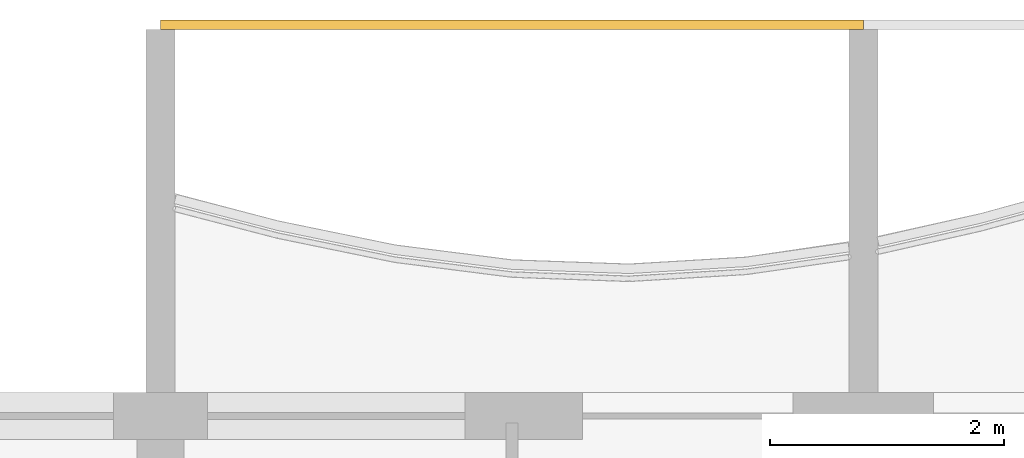
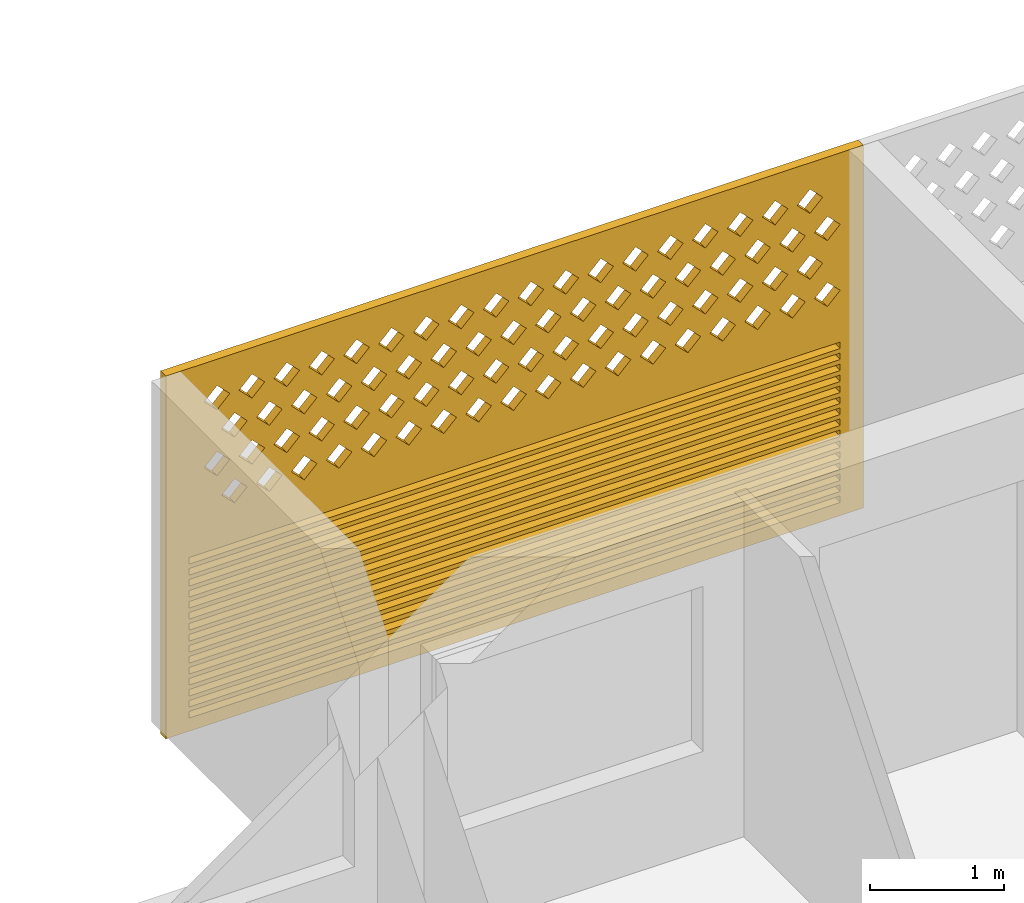
# One storey, part 32 of 38: 1 covering.
"""IFC4 building model written with IfcOpenShell, lengths in metres."""

from ifc_helpers import new_model, si_unit, direction, frame, origin, place, context, subcontext, project, spatial, polyline, outline, extrude, source, transform, mapped, material, material_profile, profile_set, type_object, element, save


model = new_model("IFC4")

# Units and contexts
model_context = context("Model", 3, precision=1e-05, world=origin(), true_north=direction((0.0, 1.0)))
body_context = subcontext(model_context, "Body", "Model", "MODEL_VIEW")
ifc_project = project(units=[si_unit("LENGTHUNIT", "METRE"), si_unit("AREAUNIT", "SQUARE_METRE"), si_unit("VOLUMEUNIT", "CUBIC_METRE"), si_unit("PLANEANGLEUNIT", "RADIAN"), si_unit("MASSUNIT", "GRAM", prefix="KILO")], contexts=[model_context])

# Site, building, storey
site_placement = place(None, origin())
site = spatial("IfcSite", under=ifc_project, at=site_placement, CompositionType="ELEMENT")
building_placement = place(site_placement, origin())
building = spatial("IfcBuilding", under=site, at=building_placement, Name="Poui Terraces", CompositionType="ELEMENT")
storey_placement = place(building_placement, frame((0.0, 0.0, 43.199951171875)))
storey = spatial("IfcBuildingStorey", under=building, at=storey_placement, Name="L11", CompositionType="ELEMENT", Elevation=43.199951171875)

# Covering
ifc_material = material(Name="Terracotta screen", Category="masonry")
ifc_material_profile = material_profile(ifc_material, outline(polyline([(-3.0, -1.64990234375), (3.0, -1.64990234375), (3.0, 1.64990234375), (-3.0, 1.64990234375), (-3.0, -1.64990234375)]), holes=[polyline([(-2.800048828125, 0.39990234375), (-2.68994140625, 0.2900390625), (-2.580078125, 0.39990234375), (-2.68994140625, 0.510009765625), (-2.800048828125, 0.39990234375)]), polyline([(-2.5, 0.39990234375), (-2.389892578125, 0.2900390625), (-2.280029296875, 0.39990234375), (-2.389892578125, 0.510009765625), (-2.5, 0.39990234375)]), polyline([(-2.199951171875, 0.39990234375), (-2.090087890625, 0.2900390625), (-1.97998046875, 0.39990234375), (-2.090087890625, 0.510009765625), (-2.199951171875, 0.39990234375)]), polyline([(-1.89990234375, 0.39990234375), (-1.7900390625, 0.2900390625), (-1.679931640625, 0.39990234375), (-1.7900390625, 0.510009765625), (-1.89990234375, 0.39990234375)]), polyline([(-1.60009765625, 0.39990234375), (-1.489990234375, 0.2900390625), (-1.3798828125, 0.39990234375), (-1.489990234375, 0.510009765625), (-1.60009765625, 0.39990234375)]), polyline([(-1.300048828125, 0.39990234375), (-1.18994140625, 0.2900390625), (-1.080078125, 0.39990234375), (-1.18994140625, 0.510009765625), (-1.300048828125, 0.39990234375)]), polyline([(-1.0, 0.39990234375), (-0.889892578125, 0.2900390625), (-0.780029296875, 0.39990234375), (-0.889892578125, 0.510009765625), (-1.0, 0.39990234375)]), polyline([(-0.699951171875, 0.39990234375), (-0.590087890625, 0.2900390625), (-0.47998046875, 0.39990234375), (-0.590087890625, 0.510009765625), (-0.699951171875, 0.39990234375)]), polyline([(-0.39990234375, 0.39990234375), (-0.2900390625, 0.2900390625), (-0.179931640625, 0.39990234375), (-0.2900390625, 0.510009765625), (-0.39990234375, 0.39990234375)]), polyline([(-0.10009765625, 0.39990234375), (0.010009765625, 0.2900390625), (0.1201171875, 0.39990234375), (0.010009765625, 0.510009765625), (-0.10009765625, 0.39990234375)]), polyline([(0.199951171875, 0.39990234375), (0.31005859375, 0.2900390625), (0.419921875, 0.39990234375), (0.31005859375, 0.510009765625), (0.199951171875, 0.39990234375)]), polyline([(0.5, 0.39990234375), (0.610107421875, 0.2900390625), (0.719970703125, 0.39990234375), (0.610107421875, 0.510009765625), (0.5, 0.39990234375)]), polyline([(0.800048828125, 0.39990234375), (0.909912109375, 0.2900390625), (1.02001953125, 0.39990234375), (0.909912109375, 0.510009765625), (0.800048828125, 0.39990234375)]), polyline([(1.10009765625, 0.39990234375), (1.2099609375, 0.2900390625), (1.320068359375, 0.39990234375), (1.2099609375, 0.510009765625), (1.10009765625, 0.39990234375)]), polyline([(1.39990234375, 0.39990234375), (1.510009765625, 0.2900390625), (1.6201171875, 0.39990234375), (1.510009765625, 0.510009765625), (1.39990234375, 0.39990234375)]), polyline([(1.699951171875, 0.39990234375), (1.81005859375, 0.2900390625), (1.919921875, 0.39990234375), (1.81005859375, 0.510009765625), (1.699951171875, 0.39990234375)]), polyline([(2.0, 0.39990234375), (2.110107421875, 0.2900390625), (2.219970703125, 0.39990234375), (2.110107421875, 0.510009765625), (2.0, 0.39990234375)]), polyline([(2.300048828125, 0.39990234375), (2.409912109375, 0.2900390625), (2.52001953125, 0.39990234375), (2.409912109375, 0.510009765625), (2.300048828125, 0.39990234375)]), polyline([(-2.64990234375, 0.699951171875), (-2.5400390625, 0.590087890625), (-2.429931640625, 0.699951171875), (-2.5400390625, 0.81005859375), (-2.64990234375, 0.699951171875)]), polyline([(-2.35009765625, 0.699951171875), (-2.239990234375, 0.590087890625), (-2.1298828125, 0.699951171875), (-2.239990234375, 0.81005859375), (-2.35009765625, 0.699951171875)]), polyline([(-2.050048828125, 0.699951171875), (-1.93994140625, 0.590087890625), (-1.830078125, 0.699951171875), (-1.93994140625, 0.81005859375), (-2.050048828125, 0.699951171875)]), polyline([(-1.75, 0.699951171875), (-1.639892578125, 0.590087890625), (-1.530029296875, 0.699951171875), (-1.639892578125, 0.81005859375), (-1.75, 0.699951171875)]), polyline([(-1.449951171875, 0.699951171875), (-1.340087890625, 0.590087890625), (-1.22998046875, 0.699951171875), (-1.340087890625, 0.81005859375), (-1.449951171875, 0.699951171875)]), polyline([(-1.14990234375, 0.699951171875), (-1.0400390625, 0.590087890625), (-0.929931640625, 0.699951171875), (-1.0400390625, 0.81005859375), (-1.14990234375, 0.699951171875)]), polyline([(-0.85009765625, 0.699951171875), (-0.739990234375, 0.590087890625), (-0.6298828125, 0.699951171875), (-0.739990234375, 0.81005859375), (-0.85009765625, 0.699951171875)]), polyline([(-0.550048828125, 0.699951171875), (-0.43994140625, 0.590087890625), (-0.330078125, 0.699951171875), (-0.43994140625, 0.81005859375), (-0.550048828125, 0.699951171875)]), polyline([(-0.25, 0.699951171875), (-0.139892578125, 0.590087890625), (-0.030029296875, 0.699951171875), (-0.139892578125, 0.81005859375), (-0.25, 0.699951171875)]), polyline([(0.050048828125, 0.699951171875), (0.159912109375, 0.590087890625), (0.27001953125, 0.699951171875), (0.159912109375, 0.81005859375), (0.050048828125, 0.699951171875)]), polyline([(0.35009765625, 0.699951171875), (0.4599609375, 0.590087890625), (0.570068359375, 0.699951171875), (0.4599609375, 0.81005859375), (0.35009765625, 0.699951171875)]), polyline([(0.64990234375, 0.699951171875), (0.760009765625, 0.590087890625), (0.8701171875, 0.699951171875), (0.760009765625, 0.81005859375), (0.64990234375, 0.699951171875)]), polyline([(0.949951171875, 0.699951171875), (1.06005859375, 0.590087890625), (1.169921875, 0.699951171875), (1.06005859375, 0.81005859375), (0.949951171875, 0.699951171875)]), polyline([(1.25, 0.699951171875), (1.360107421875, 0.590087890625), (1.469970703125, 0.699951171875), (1.360107421875, 0.81005859375), (1.25, 0.699951171875)]), polyline([(1.550048828125, 0.699951171875), (1.659912109375, 0.590087890625), (1.77001953125, 0.699951171875), (1.659912109375, 0.81005859375), (1.550048828125, 0.699951171875)]), polyline([(1.85009765625, 0.699951171875), (1.9599609375, 0.590087890625), (2.070068359375, 0.699951171875), (1.9599609375, 0.81005859375), (1.85009765625, 0.699951171875)]), polyline([(2.14990234375, 0.699951171875), (2.260009765625, 0.590087890625), (2.3701171875, 0.699951171875), (2.260009765625, 0.81005859375), (2.14990234375, 0.699951171875)]), polyline([(2.449951171875, 0.699951171875), (2.56005859375, 0.590087890625), (2.669921875, 0.699951171875), (2.56005859375, 0.81005859375), (2.449951171875, 0.699951171875)]), polyline([(-2.800048828125, 1.0), (-2.68994140625, 0.889892578125), (-2.580078125, 1.0), (-2.68994140625, 1.110107421875), (-2.800048828125, 1.0)]), polyline([(-2.5, 1.0), (-2.389892578125, 0.889892578125), (-2.280029296875, 1.0), (-2.389892578125, 1.110107421875), (-2.5, 1.0)]), polyline([(-2.199951171875, 1.0), (-2.090087890625, 0.889892578125), (-1.97998046875, 1.0), (-2.090087890625, 1.110107421875), (-2.199951171875, 1.0)]), polyline([(-1.89990234375, 1.0), (-1.7900390625, 0.889892578125), (-1.679931640625, 1.0), (-1.7900390625, 1.110107421875), (-1.89990234375, 1.0)]), polyline([(-1.60009765625, 1.0), (-1.489990234375, 0.889892578125), (-1.3798828125, 1.0), (-1.489990234375, 1.110107421875), (-1.60009765625, 1.0)]), polyline([(-1.300048828125, 1.0), (-1.18994140625, 0.889892578125), (-1.080078125, 1.0), (-1.18994140625, 1.110107421875), (-1.300048828125, 1.0)]), polyline([(-1.0, 1.0), (-0.889892578125, 0.889892578125), (-0.780029296875, 1.0), (-0.889892578125, 1.110107421875), (-1.0, 1.0)]), polyline([(-0.699951171875, 1.0), (-0.590087890625, 0.889892578125), (-0.47998046875, 1.0), (-0.590087890625, 1.110107421875), (-0.699951171875, 1.0)]), polyline([(-0.39990234375, 1.0), (-0.2900390625, 0.889892578125), (-0.179931640625, 1.0), (-0.2900390625, 1.110107421875), (-0.39990234375, 1.0)]), polyline([(-0.10009765625, 1.0), (0.010009765625, 0.889892578125), (0.1201171875, 1.0), (0.010009765625, 1.110107421875), (-0.10009765625, 1.0)]), polyline([(0.199951171875, 1.0), (0.31005859375, 0.889892578125), (0.419921875, 1.0), (0.31005859375, 1.110107421875), (0.199951171875, 1.0)]), polyline([(0.5, 1.0), (0.610107421875, 0.889892578125), (0.719970703125, 1.0), (0.610107421875, 1.110107421875), (0.5, 1.0)]), polyline([(0.800048828125, 1.0), (0.909912109375, 0.889892578125), (1.02001953125, 1.0), (0.909912109375, 1.110107421875), (0.800048828125, 1.0)]), polyline([(1.10009765625, 1.0), (1.2099609375, 0.889892578125), (1.320068359375, 1.0), (1.2099609375, 1.110107421875), (1.10009765625, 1.0)]), polyline([(1.39990234375, 1.0), (1.510009765625, 0.889892578125), (1.6201171875, 1.0), (1.510009765625, 1.110107421875), (1.39990234375, 1.0)]), polyline([(1.699951171875, 1.0), (1.81005859375, 0.889892578125), (1.919921875, 1.0), (1.81005859375, 1.110107421875), (1.699951171875, 1.0)]), polyline([(2.0, 1.0), (2.110107421875, 0.889892578125), (2.219970703125, 1.0), (2.110107421875, 1.110107421875), (2.0, 1.0)]), polyline([(2.300048828125, 1.0), (2.409912109375, 0.889892578125), (2.52001953125, 1.0), (2.409912109375, 1.110107421875), (2.300048828125, 1.0)]), polyline([(-2.64990234375, 1.300048828125), (-2.5400390625, 1.18994140625), (-2.429931640625, 1.300048828125), (-2.5400390625, 1.409912109375), (-2.64990234375, 1.300048828125)]), polyline([(-2.35009765625, 1.300048828125), (-2.239990234375, 1.18994140625), (-2.1298828125, 1.300048828125), (-2.239990234375, 1.409912109375), (-2.35009765625, 1.300048828125)]), polyline([(-2.050048828125, 1.300048828125), (-1.93994140625, 1.18994140625), (-1.830078125, 1.300048828125), (-1.93994140625, 1.409912109375), (-2.050048828125, 1.300048828125)]), polyline([(-1.75, 1.300048828125), (-1.639892578125, 1.18994140625), (-1.530029296875, 1.300048828125), (-1.639892578125, 1.409912109375), (-1.75, 1.300048828125)]), polyline([(-1.449951171875, 1.300048828125), (-1.340087890625, 1.18994140625), (-1.22998046875, 1.300048828125), (-1.340087890625, 1.409912109375), (-1.449951171875, 1.300048828125)]), polyline([(-1.14990234375, 1.300048828125), (-1.0400390625, 1.18994140625), (-0.929931640625, 1.300048828125), (-1.0400390625, 1.409912109375), (-1.14990234375, 1.300048828125)]), polyline([(-0.85009765625, 1.300048828125), (-0.739990234375, 1.18994140625), (-0.6298828125, 1.300048828125), (-0.739990234375, 1.409912109375), (-0.85009765625, 1.300048828125)]), polyline([(-0.550048828125, 1.300048828125), (-0.43994140625, 1.18994140625), (-0.330078125, 1.300048828125), (-0.43994140625, 1.409912109375), (-0.550048828125, 1.300048828125)]), polyline([(-0.25, 1.300048828125), (-0.139892578125, 1.18994140625), (-0.030029296875, 1.300048828125), (-0.139892578125, 1.409912109375), (-0.25, 1.300048828125)]), polyline([(0.050048828125, 1.300048828125), (0.159912109375, 1.18994140625), (0.27001953125, 1.300048828125), (0.159912109375, 1.409912109375), (0.050048828125, 1.300048828125)]), polyline([(0.35009765625, 1.300048828125), (0.4599609375, 1.18994140625), (0.570068359375, 1.300048828125), (0.4599609375, 1.409912109375), (0.35009765625, 1.300048828125)]), polyline([(0.64990234375, 1.300048828125), (0.760009765625, 1.18994140625), (0.8701171875, 1.300048828125), (0.760009765625, 1.409912109375), (0.64990234375, 1.300048828125)]), polyline([(0.949951171875, 1.300048828125), (1.06005859375, 1.18994140625), (1.169921875, 1.300048828125), (1.06005859375, 1.409912109375), (0.949951171875, 1.300048828125)]), polyline([(1.25, 1.300048828125), (1.360107421875, 1.18994140625), (1.469970703125, 1.300048828125), (1.360107421875, 1.409912109375), (1.25, 1.300048828125)]), polyline([(1.550048828125, 1.300048828125), (1.659912109375, 1.18994140625), (1.77001953125, 1.300048828125), (1.659912109375, 1.409912109375), (1.550048828125, 1.300048828125)]), polyline([(1.85009765625, 1.300048828125), (1.9599609375, 1.18994140625), (2.070068359375, 1.300048828125), (1.9599609375, 1.409912109375), (1.85009765625, 1.300048828125)]), polyline([(2.14990234375, 1.300048828125), (2.260009765625, 1.18994140625), (2.3701171875, 1.300048828125), (2.260009765625, 1.409912109375), (2.14990234375, 1.300048828125)]), polyline([(2.449951171875, 1.300048828125), (2.56005859375, 1.18994140625), (2.669921875, 1.300048828125), (2.56005859375, 1.409912109375), (2.449951171875, 1.300048828125)]), polyline([(-2.800048828125, -1.530029296875), (2.800048828125, -1.530029296875), (2.800048828125, -1.469970703125), (-2.800048828125, -1.469970703125), (-2.800048828125, -1.530029296875)]), polyline([(-2.800048828125, -1.429931640625), (2.800048828125, -1.429931640625), (2.800048828125, -1.3701171875), (-2.800048828125, -1.3701171875), (-2.800048828125, -1.429931640625)]), polyline([(-2.800048828125, -1.330078125), (2.800048828125, -1.330078125), (2.800048828125, -1.27001953125), (-2.800048828125, -1.27001953125), (-2.800048828125, -1.330078125)]), polyline([(-2.800048828125, -1.22998046875), (2.800048828125, -1.22998046875), (2.800048828125, -1.169921875), (-2.800048828125, -1.169921875), (-2.800048828125, -1.22998046875)]), polyline([(-2.800048828125, -1.1298828125), (2.800048828125, -1.1298828125), (2.800048828125, -1.070068359375), (-2.800048828125, -1.070068359375), (-2.800048828125, -1.1298828125)]), polyline([(-2.800048828125, -1.030029296875), (2.800048828125, -1.030029296875), (2.800048828125, -0.969970703125), (-2.800048828125, -0.969970703125), (-2.800048828125, -1.030029296875)]), polyline([(-2.800048828125, -0.929931640625), (2.800048828125, -0.929931640625), (2.800048828125, -0.8701171875), (-2.800048828125, -0.8701171875), (-2.800048828125, -0.929931640625)]), polyline([(-2.800048828125, -0.830078125), (2.800048828125, -0.830078125), (2.800048828125, -0.77001953125), (-2.800048828125, -0.77001953125), (-2.800048828125, -0.830078125)]), polyline([(-2.800048828125, -0.72998046875), (2.800048828125, -0.72998046875), (2.800048828125, -0.669921875), (-2.800048828125, -0.669921875), (-2.800048828125, -0.72998046875)]), polyline([(-2.800048828125, -0.6298828125), (2.800048828125, -0.6298828125), (2.800048828125, -0.570068359375), (-2.800048828125, -0.570068359375), (-2.800048828125, -0.6298828125)]), polyline([(-2.800048828125, -0.530029296875), (2.800048828125, -0.530029296875), (2.800048828125, -0.469970703125), (-2.800048828125, -0.469970703125), (-2.800048828125, -0.530029296875)]), polyline([(-2.800048828125, -0.429931640625), (2.800048828125, -0.429931640625), (2.800048828125, -0.3701171875), (-2.800048828125, -0.3701171875), (-2.800048828125, -0.429931640625)]), polyline([(-2.800048828125, -0.330078125), (2.800048828125, -0.330078125), (2.800048828125, -0.27001953125), (-2.800048828125, -0.27001953125), (-2.800048828125, -0.330078125)]), polyline([(-2.800048828125, -0.22998046875), (2.800048828125, -0.22998046875), (2.800048828125, -0.169921875), (-2.800048828125, -0.169921875), (-2.800048828125, -0.22998046875)]), polyline([(-2.800048828125, -0.1298828125), (2.800048828125, -0.1298828125), (2.800048828125, -0.070068359375), (-2.800048828125, -0.070068359375), (-2.800048828125, -0.1298828125)])]), Name="TERRACOTTA SCREEN AND JALOUSIE LOUVRE 6000X3300")
ifc_profile_set = profile_set([ifc_material_profile], Name="Terracotta screen")
covering_type = type_object("IfcCoveringType", Name="TERRACOTTA SCREEN AND JALOUSIE LOUVRE 6000X3300", PredefinedType="CLADDING", material=ifc_profile_set)
shared_shape = source(origin(), body_context, "Body", "SweptSolid", [
    extrude(outline(polyline([(-3.0, -1.64990234375), (3.0, -1.64990234375), (3.0, 1.64990234375), (-3.0, 1.64990234375), (-3.0, -1.64990234375)]), holes=[polyline([(-2.800048828125, 0.39990234375), (-2.68994140625, 0.2900390625), (-2.580078125, 0.39990234375), (-2.68994140625, 0.510009765625), (-2.800048828125, 0.39990234375)]), polyline([(-2.5, 0.39990234375), (-2.389892578125, 0.2900390625), (-2.280029296875, 0.39990234375), (-2.389892578125, 0.510009765625), (-2.5, 0.39990234375)]), polyline([(-2.199951171875, 0.39990234375), (-2.090087890625, 0.2900390625), (-1.97998046875, 0.39990234375), (-2.090087890625, 0.510009765625), (-2.199951171875, 0.39990234375)]), polyline([(-1.89990234375, 0.39990234375), (-1.7900390625, 0.2900390625), (-1.679931640625, 0.39990234375), (-1.7900390625, 0.510009765625), (-1.89990234375, 0.39990234375)]), polyline([(-1.60009765625, 0.39990234375), (-1.489990234375, 0.2900390625), (-1.3798828125, 0.39990234375), (-1.489990234375, 0.510009765625), (-1.60009765625, 0.39990234375)]), polyline([(-1.300048828125, 0.39990234375), (-1.18994140625, 0.2900390625), (-1.080078125, 0.39990234375), (-1.18994140625, 0.510009765625), (-1.300048828125, 0.39990234375)]), polyline([(-1.0, 0.39990234375), (-0.889892578125, 0.2900390625), (-0.780029296875, 0.39990234375), (-0.889892578125, 0.510009765625), (-1.0, 0.39990234375)]), polyline([(-0.699951171875, 0.39990234375), (-0.590087890625, 0.2900390625), (-0.47998046875, 0.39990234375), (-0.590087890625, 0.510009765625), (-0.699951171875, 0.39990234375)]), polyline([(-0.39990234375, 0.39990234375), (-0.2900390625, 0.2900390625), (-0.179931640625, 0.39990234375), (-0.2900390625, 0.510009765625), (-0.39990234375, 0.39990234375)]), polyline([(-0.10009765625, 0.39990234375), (0.010009765625, 0.2900390625), (0.1201171875, 0.39990234375), (0.010009765625, 0.510009765625), (-0.10009765625, 0.39990234375)]), polyline([(0.199951171875, 0.39990234375), (0.31005859375, 0.2900390625), (0.419921875, 0.39990234375), (0.31005859375, 0.510009765625), (0.199951171875, 0.39990234375)]), polyline([(0.5, 0.39990234375), (0.610107421875, 0.2900390625), (0.719970703125, 0.39990234375), (0.610107421875, 0.510009765625), (0.5, 0.39990234375)]), polyline([(0.800048828125, 0.39990234375), (0.909912109375, 0.2900390625), (1.02001953125, 0.39990234375), (0.909912109375, 0.510009765625), (0.800048828125, 0.39990234375)]), polyline([(1.10009765625, 0.39990234375), (1.2099609375, 0.2900390625), (1.320068359375, 0.39990234375), (1.2099609375, 0.510009765625), (1.10009765625, 0.39990234375)]), polyline([(1.39990234375, 0.39990234375), (1.510009765625, 0.2900390625), (1.6201171875, 0.39990234375), (1.510009765625, 0.510009765625), (1.39990234375, 0.39990234375)]), polyline([(1.699951171875, 0.39990234375), (1.81005859375, 0.2900390625), (1.919921875, 0.39990234375), (1.81005859375, 0.510009765625), (1.699951171875, 0.39990234375)]), polyline([(2.0, 0.39990234375), (2.110107421875, 0.2900390625), (2.219970703125, 0.39990234375), (2.110107421875, 0.510009765625), (2.0, 0.39990234375)]), polyline([(2.300048828125, 0.39990234375), (2.409912109375, 0.2900390625), (2.52001953125, 0.39990234375), (2.409912109375, 0.510009765625), (2.300048828125, 0.39990234375)]), polyline([(-2.64990234375, 0.699951171875), (-2.5400390625, 0.590087890625), (-2.429931640625, 0.699951171875), (-2.5400390625, 0.81005859375), (-2.64990234375, 0.699951171875)]), polyline([(-2.35009765625, 0.699951171875), (-2.239990234375, 0.590087890625), (-2.1298828125, 0.699951171875), (-2.239990234375, 0.81005859375), (-2.35009765625, 0.699951171875)]), polyline([(-2.050048828125, 0.699951171875), (-1.93994140625, 0.590087890625), (-1.830078125, 0.699951171875), (-1.93994140625, 0.81005859375), (-2.050048828125, 0.699951171875)]), polyline([(-1.75, 0.699951171875), (-1.639892578125, 0.590087890625), (-1.530029296875, 0.699951171875), (-1.639892578125, 0.81005859375), (-1.75, 0.699951171875)]), polyline([(-1.449951171875, 0.699951171875), (-1.340087890625, 0.590087890625), (-1.22998046875, 0.699951171875), (-1.340087890625, 0.81005859375), (-1.449951171875, 0.699951171875)]), polyline([(-1.14990234375, 0.699951171875), (-1.0400390625, 0.590087890625), (-0.929931640625, 0.699951171875), (-1.0400390625, 0.81005859375), (-1.14990234375, 0.699951171875)]), polyline([(-0.85009765625, 0.699951171875), (-0.739990234375, 0.590087890625), (-0.6298828125, 0.699951171875), (-0.739990234375, 0.81005859375), (-0.85009765625, 0.699951171875)]), polyline([(-0.550048828125, 0.699951171875), (-0.43994140625, 0.590087890625), (-0.330078125, 0.699951171875), (-0.43994140625, 0.81005859375), (-0.550048828125, 0.699951171875)]), polyline([(-0.25, 0.699951171875), (-0.139892578125, 0.590087890625), (-0.030029296875, 0.699951171875), (-0.139892578125, 0.81005859375), (-0.25, 0.699951171875)]), polyline([(0.050048828125, 0.699951171875), (0.159912109375, 0.590087890625), (0.27001953125, 0.699951171875), (0.159912109375, 0.81005859375), (0.050048828125, 0.699951171875)]), polyline([(0.35009765625, 0.699951171875), (0.4599609375, 0.590087890625), (0.570068359375, 0.699951171875), (0.4599609375, 0.81005859375), (0.35009765625, 0.699951171875)]), polyline([(0.64990234375, 0.699951171875), (0.760009765625, 0.590087890625), (0.8701171875, 0.699951171875), (0.760009765625, 0.81005859375), (0.64990234375, 0.699951171875)]), polyline([(0.949951171875, 0.699951171875), (1.06005859375, 0.590087890625), (1.169921875, 0.699951171875), (1.06005859375, 0.81005859375), (0.949951171875, 0.699951171875)]), polyline([(1.25, 0.699951171875), (1.360107421875, 0.590087890625), (1.469970703125, 0.699951171875), (1.360107421875, 0.81005859375), (1.25, 0.699951171875)]), polyline([(1.550048828125, 0.699951171875), (1.659912109375, 0.590087890625), (1.77001953125, 0.699951171875), (1.659912109375, 0.81005859375), (1.550048828125, 0.699951171875)]), polyline([(1.85009765625, 0.699951171875), (1.9599609375, 0.590087890625), (2.070068359375, 0.699951171875), (1.9599609375, 0.81005859375), (1.85009765625, 0.699951171875)]), polyline([(2.14990234375, 0.699951171875), (2.260009765625, 0.590087890625), (2.3701171875, 0.699951171875), (2.260009765625, 0.81005859375), (2.14990234375, 0.699951171875)]), polyline([(2.449951171875, 0.699951171875), (2.56005859375, 0.590087890625), (2.669921875, 0.699951171875), (2.56005859375, 0.81005859375), (2.449951171875, 0.699951171875)]), polyline([(-2.800048828125, 1.0), (-2.68994140625, 0.889892578125), (-2.580078125, 1.0), (-2.68994140625, 1.110107421875), (-2.800048828125, 1.0)]), polyline([(-2.5, 1.0), (-2.389892578125, 0.889892578125), (-2.280029296875, 1.0), (-2.389892578125, 1.110107421875), (-2.5, 1.0)]), polyline([(-2.199951171875, 1.0), (-2.090087890625, 0.889892578125), (-1.97998046875, 1.0), (-2.090087890625, 1.110107421875), (-2.199951171875, 1.0)]), polyline([(-1.89990234375, 1.0), (-1.7900390625, 0.889892578125), (-1.679931640625, 1.0), (-1.7900390625, 1.110107421875), (-1.89990234375, 1.0)]), polyline([(-1.60009765625, 1.0), (-1.489990234375, 0.889892578125), (-1.3798828125, 1.0), (-1.489990234375, 1.110107421875), (-1.60009765625, 1.0)]), polyline([(-1.300048828125, 1.0), (-1.18994140625, 0.889892578125), (-1.080078125, 1.0), (-1.18994140625, 1.110107421875), (-1.300048828125, 1.0)]), polyline([(-1.0, 1.0), (-0.889892578125, 0.889892578125), (-0.780029296875, 1.0), (-0.889892578125, 1.110107421875), (-1.0, 1.0)]), polyline([(-0.699951171875, 1.0), (-0.590087890625, 0.889892578125), (-0.47998046875, 1.0), (-0.590087890625, 1.110107421875), (-0.699951171875, 1.0)]), polyline([(-0.39990234375, 1.0), (-0.2900390625, 0.889892578125), (-0.179931640625, 1.0), (-0.2900390625, 1.110107421875), (-0.39990234375, 1.0)]), polyline([(-0.10009765625, 1.0), (0.010009765625, 0.889892578125), (0.1201171875, 1.0), (0.010009765625, 1.110107421875), (-0.10009765625, 1.0)]), polyline([(0.199951171875, 1.0), (0.31005859375, 0.889892578125), (0.419921875, 1.0), (0.31005859375, 1.110107421875), (0.199951171875, 1.0)]), polyline([(0.5, 1.0), (0.610107421875, 0.889892578125), (0.719970703125, 1.0), (0.610107421875, 1.110107421875), (0.5, 1.0)]), polyline([(0.800048828125, 1.0), (0.909912109375, 0.889892578125), (1.02001953125, 1.0), (0.909912109375, 1.110107421875), (0.800048828125, 1.0)]), polyline([(1.10009765625, 1.0), (1.2099609375, 0.889892578125), (1.320068359375, 1.0), (1.2099609375, 1.110107421875), (1.10009765625, 1.0)]), polyline([(1.39990234375, 1.0), (1.510009765625, 0.889892578125), (1.6201171875, 1.0), (1.510009765625, 1.110107421875), (1.39990234375, 1.0)]), polyline([(1.699951171875, 1.0), (1.81005859375, 0.889892578125), (1.919921875, 1.0), (1.81005859375, 1.110107421875), (1.699951171875, 1.0)]), polyline([(2.0, 1.0), (2.110107421875, 0.889892578125), (2.219970703125, 1.0), (2.110107421875, 1.110107421875), (2.0, 1.0)]), polyline([(2.300048828125, 1.0), (2.409912109375, 0.889892578125), (2.52001953125, 1.0), (2.409912109375, 1.110107421875), (2.300048828125, 1.0)]), polyline([(-2.64990234375, 1.300048828125), (-2.5400390625, 1.18994140625), (-2.429931640625, 1.300048828125), (-2.5400390625, 1.409912109375), (-2.64990234375, 1.300048828125)]), polyline([(-2.35009765625, 1.300048828125), (-2.239990234375, 1.18994140625), (-2.1298828125, 1.300048828125), (-2.239990234375, 1.409912109375), (-2.35009765625, 1.300048828125)]), polyline([(-2.050048828125, 1.300048828125), (-1.93994140625, 1.18994140625), (-1.830078125, 1.300048828125), (-1.93994140625, 1.409912109375), (-2.050048828125, 1.300048828125)]), polyline([(-1.75, 1.300048828125), (-1.639892578125, 1.18994140625), (-1.530029296875, 1.300048828125), (-1.639892578125, 1.409912109375), (-1.75, 1.300048828125)]), polyline([(-1.449951171875, 1.300048828125), (-1.340087890625, 1.18994140625), (-1.22998046875, 1.300048828125), (-1.340087890625, 1.409912109375), (-1.449951171875, 1.300048828125)]), polyline([(-1.14990234375, 1.300048828125), (-1.0400390625, 1.18994140625), (-0.929931640625, 1.300048828125), (-1.0400390625, 1.409912109375), (-1.14990234375, 1.300048828125)]), polyline([(-0.85009765625, 1.300048828125), (-0.739990234375, 1.18994140625), (-0.6298828125, 1.300048828125), (-0.739990234375, 1.409912109375), (-0.85009765625, 1.300048828125)]), polyline([(-0.550048828125, 1.300048828125), (-0.43994140625, 1.18994140625), (-0.330078125, 1.300048828125), (-0.43994140625, 1.409912109375), (-0.550048828125, 1.300048828125)]), polyline([(-0.25, 1.300048828125), (-0.139892578125, 1.18994140625), (-0.030029296875, 1.300048828125), (-0.139892578125, 1.409912109375), (-0.25, 1.300048828125)]), polyline([(0.050048828125, 1.300048828125), (0.159912109375, 1.18994140625), (0.27001953125, 1.300048828125), (0.159912109375, 1.409912109375), (0.050048828125, 1.300048828125)]), polyline([(0.35009765625, 1.300048828125), (0.4599609375, 1.18994140625), (0.570068359375, 1.300048828125), (0.4599609375, 1.409912109375), (0.35009765625, 1.300048828125)]), polyline([(0.64990234375, 1.300048828125), (0.760009765625, 1.18994140625), (0.8701171875, 1.300048828125), (0.760009765625, 1.409912109375), (0.64990234375, 1.300048828125)]), polyline([(0.949951171875, 1.300048828125), (1.06005859375, 1.18994140625), (1.169921875, 1.300048828125), (1.06005859375, 1.409912109375), (0.949951171875, 1.300048828125)]), polyline([(1.25, 1.300048828125), (1.360107421875, 1.18994140625), (1.469970703125, 1.300048828125), (1.360107421875, 1.409912109375), (1.25, 1.300048828125)]), polyline([(1.550048828125, 1.300048828125), (1.659912109375, 1.18994140625), (1.77001953125, 1.300048828125), (1.659912109375, 1.409912109375), (1.550048828125, 1.300048828125)]), polyline([(1.85009765625, 1.300048828125), (1.9599609375, 1.18994140625), (2.070068359375, 1.300048828125), (1.9599609375, 1.409912109375), (1.85009765625, 1.300048828125)]), polyline([(2.14990234375, 1.300048828125), (2.260009765625, 1.18994140625), (2.3701171875, 1.300048828125), (2.260009765625, 1.409912109375), (2.14990234375, 1.300048828125)]), polyline([(2.449951171875, 1.300048828125), (2.56005859375, 1.18994140625), (2.669921875, 1.300048828125), (2.56005859375, 1.409912109375), (2.449951171875, 1.300048828125)]), polyline([(-2.800048828125, -1.530029296875), (2.800048828125, -1.530029296875), (2.800048828125, -1.469970703125), (-2.800048828125, -1.469970703125), (-2.800048828125, -1.530029296875)]), polyline([(-2.800048828125, -1.429931640625), (2.800048828125, -1.429931640625), (2.800048828125, -1.3701171875), (-2.800048828125, -1.3701171875), (-2.800048828125, -1.429931640625)]), polyline([(-2.800048828125, -1.330078125), (2.800048828125, -1.330078125), (2.800048828125, -1.27001953125), (-2.800048828125, -1.27001953125), (-2.800048828125, -1.330078125)]), polyline([(-2.800048828125, -1.22998046875), (2.800048828125, -1.22998046875), (2.800048828125, -1.169921875), (-2.800048828125, -1.169921875), (-2.800048828125, -1.22998046875)]), polyline([(-2.800048828125, -1.1298828125), (2.800048828125, -1.1298828125), (2.800048828125, -1.070068359375), (-2.800048828125, -1.070068359375), (-2.800048828125, -1.1298828125)]), polyline([(-2.800048828125, -1.030029296875), (2.800048828125, -1.030029296875), (2.800048828125, -0.969970703125), (-2.800048828125, -0.969970703125), (-2.800048828125, -1.030029296875)]), polyline([(-2.800048828125, -0.929931640625), (2.800048828125, -0.929931640625), (2.800048828125, -0.8701171875), (-2.800048828125, -0.8701171875), (-2.800048828125, -0.929931640625)]), polyline([(-2.800048828125, -0.830078125), (2.800048828125, -0.830078125), (2.800048828125, -0.77001953125), (-2.800048828125, -0.77001953125), (-2.800048828125, -0.830078125)]), polyline([(-2.800048828125, -0.72998046875), (2.800048828125, -0.72998046875), (2.800048828125, -0.669921875), (-2.800048828125, -0.669921875), (-2.800048828125, -0.72998046875)]), polyline([(-2.800048828125, -0.6298828125), (2.800048828125, -0.6298828125), (2.800048828125, -0.570068359375), (-2.800048828125, -0.570068359375), (-2.800048828125, -0.6298828125)]), polyline([(-2.800048828125, -0.530029296875), (2.800048828125, -0.530029296875), (2.800048828125, -0.469970703125), (-2.800048828125, -0.469970703125), (-2.800048828125, -0.530029296875)]), polyline([(-2.800048828125, -0.429931640625), (2.800048828125, -0.429931640625), (2.800048828125, -0.3701171875), (-2.800048828125, -0.3701171875), (-2.800048828125, -0.429931640625)]), polyline([(-2.800048828125, -0.330078125), (2.800048828125, -0.330078125), (2.800048828125, -0.27001953125), (-2.800048828125, -0.27001953125), (-2.800048828125, -0.330078125)]), polyline([(-2.800048828125, -0.22998046875), (2.800048828125, -0.22998046875), (2.800048828125, -0.169921875), (-2.800048828125, -0.169921875), (-2.800048828125, -0.22998046875)]), polyline([(-2.800048828125, -0.1298828125), (2.800048828125, -0.1298828125), (2.800048828125, -0.070068359375), (-2.800048828125, -0.070068359375), (-2.800048828125, -0.1298828125)])]), origin(), (0.0, 0.0, 1.0), 0.079833984375),
])
covering_placement = place(storey_placement, frame((69.0, 48.10009765625, 1.449951171875), z_axis=(0.0, 1.0, 0.0), x_axis=(-1.0, 0.0, 0.0)))
element("IfcCovering", 1, at=covering_placement, inside=storey, type_object=covering_type, Name="SOLAR SCREEN AND JALOUSIE LOUVRE", PredefinedType="CLADDING", context=body_context, shape_type="MappedRepresentation", body=[
    mapped(shared_shape, transform((0.0, 0.0, 0.0))),
])

save(model, "model.ifc")
